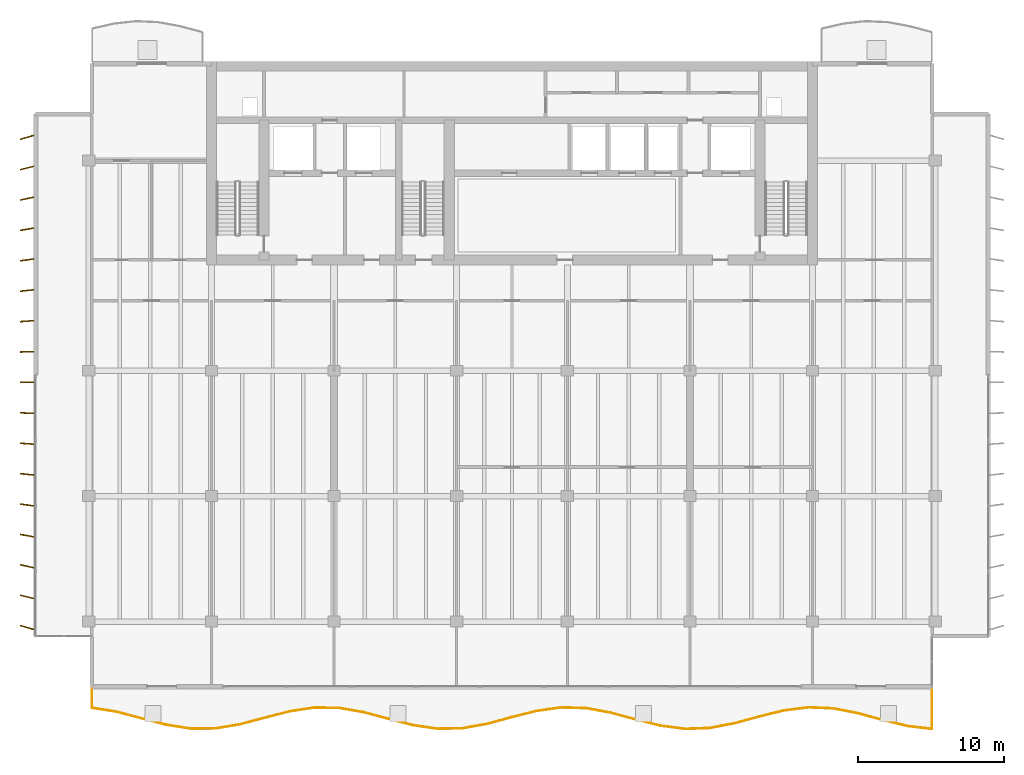
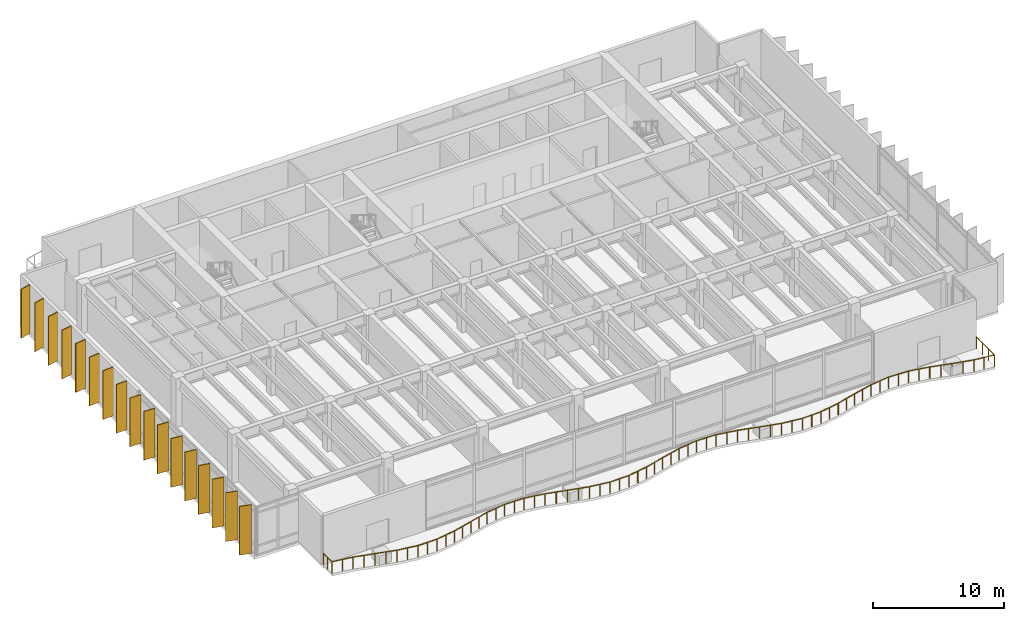
# One storey, part 12 of 15: 17 shading devices, 1 railing.
"""IFC4 building model written with IfcOpenShell, lengths in metres."""

import ifcopenshell
import ifcopenshell.guid

model = None  # the IFC model being written
_history = None  # IfcOwnerHistory: only IFC2X3 demands one
_inside = {}  # id of a spatial element -> (the spatial element, [elements in it])
_under = {}  # id of a project, library or spatial element -> (it, [spatial elements below it])
_declared = {}  # id of a project -> (the project, [libraries it declares])
_typed = {}  # id of a type object -> (the type object, [elements of that type])
_made_of = {}  # id of a material, layer set ... -> (it, [elements and type objects made of it])


def new_model(schema):
    """Start an empty IFC model of exactly this schema.

    Asked for "IFC4X3", IfcOpenShell would pick the latest addendum, in which some entities
    have other attributes; the version numbers below select the first issue.
    IFC2X3 requires an IfcOwnerHistory on every rooted entity: one is made here for all.
    """
    global model, _history
    if schema == "IFC4X3":
        model = ifcopenshell.file(schema_version=(4, 3, 0, 0))
    else:
        model = ifcopenshell.file(schema=schema)
    _inside.clear()
    _under.clear()
    _declared.clear()
    _typed.clear()
    _made_of.clear()
    _history = None
    if model.schema == "IFC2X3":
        org = make("IfcOrganization", Name="unknown")
        user = make(
            "IfcPersonAndOrganization",
            ThePerson=make("IfcPerson", FamilyName="unknown"),
            TheOrganization=org,
        )
        app = make(
            "IfcApplication",
            ApplicationDeveloper=org,
            Version="unknown",
            ApplicationFullName="unknown",
            ApplicationIdentifier="unknown",
        )
        _history = make(
            "IfcOwnerHistory",
            OwningUser=user,
            OwningApplication=app,
            ChangeAction="ADDED",
            CreationDate=0,
        )
    return model


def make(cls, **values):
    """One entity of the class cls with the attributes given. An attribute that is None is left unset."""
    return model.create_entity(
        cls, **{name: value for name, value in values.items() if value is not None}
    )


def rooted(cls, **values):
    """An entity with a GlobalId (a new one), such as an element, a storey or a relation."""
    return make(cls, GlobalId=ifcopenshell.guid.new(), OwnerHistory=_history, **values)


def si_unit(unit_type, name, prefix=None):
    """IfcSIUnit, for example si_unit("LENGTHUNIT", "METRE", prefix="MILLI")."""
    return make("IfcSIUnit", UnitType=unit_type, Prefix=prefix, Name=name)


def assignment(units):
    """IfcUnitAssignment: the units of a project."""
    return None if units is None else make("IfcUnitAssignment", Units=units)


def point(xyz):
    """IfcCartesianPoint."""
    return None if xyz is None else make("IfcCartesianPoint", Coordinates=xyz)


def direction(xyz):
    """IfcDirection."""
    return None if xyz is None else make("IfcDirection", DirectionRatios=xyz)


def frame(location, z_axis=None, x_axis=None):
    """IfcAxis2Placement3D, a coordinate frame: its origin and axes. An axis left out is left unset."""
    return make(
        "IfcAxis2Placement3D",
        Location=point(location),
        Axis=direction(z_axis),
        RefDirection=direction(x_axis),
    )


def frame_2d(location, x_axis=None):
    """IfcAxis2Placement2D, a coordinate frame in the plane: its origin and x axis."""
    return make(
        "IfcAxis2Placement2D", Location=point(location), RefDirection=direction(x_axis)
    )


def origin():
    """The frame at (0, 0, 0) with its axes left unset."""
    return frame((0.0, 0.0, 0.0))


def origin_2d():
    """The frame at (0, 0) in the plane with its x axis left unset."""
    return frame_2d((0.0, 0.0))


def place(relative_to, where):
    """IfcLocalPlacement: puts the frame where relative to a parent placement (None: the world)."""
    return make(
        "IfcLocalPlacement", PlacementRelTo=relative_to, RelativePlacement=where
    )


def context(
    kind, dimensions, precision=None, world=None, true_north=None, identifier=None
):
    """IfcGeometricRepresentationContext, for example the 3D "Model" context."""
    return make(
        "IfcGeometricRepresentationContext",
        ContextIdentifier=identifier,
        ContextType=kind,
        CoordinateSpaceDimension=dimensions,
        Precision=precision,
        WorldCoordinateSystem=world,
        TrueNorth=true_north,
    )


def subcontext(parent, identifier, kind, view, scale=None):
    """IfcGeometricRepresentationSubContext, for example "Body" below "Model"."""
    return make(
        "IfcGeometricRepresentationSubContext",
        ContextIdentifier=identifier,
        ContextType=kind,
        ParentContext=parent,
        TargetScale=scale,
        TargetView=view,
    )


def project(units=None, contexts=None):
    """IfcProject with its units and contexts."""
    return rooted(
        "IfcProject",
        Name="project",
        RepresentationContexts=contexts,
        UnitsInContext=assignment(units),
    )


def spatial(cls, under=None, at=None, **own):
    """A site, building, storey or space (cls), placed at a placement, below another one or the project."""
    s = rooted(cls, ObjectPlacement=at, **own)
    if under is not None:
        _under.setdefault(under.id(), (under, []))[1].append(s)
    return s


def profile(cls, at=None, kind="AREA", **sizes):
    """A parametric profile (cls). Its sizes go by their IFC names, for example OverallWidth=200.0."""
    return make(cls, ProfileType=kind, Position=at, **sizes)


def rectangle(**sizes):
    """IfcRectangleProfileDef."""
    return profile("IfcRectangleProfileDef", **sizes)


def circle(**sizes):
    """IfcCircleProfileDef."""
    return profile("IfcCircleProfileDef", **sizes)


def extrude(swept, where, along, depth):
    """IfcExtrudedAreaSolid: the profile swept, set in the frame where, extruded along a direction by depth."""
    return make(
        "IfcExtrudedAreaSolid",
        SweptArea=swept,
        Position=where,
        ExtrudedDirection=direction(along),
        Depth=depth,
    )


def shape(context_of_items, identifier, shape_type, items):
    """IfcShapeRepresentation: the items that make up one representation, for example the "Body"."""
    return make(
        "IfcShapeRepresentation",
        ContextOfItems=context_of_items,
        RepresentationIdentifier=identifier,
        RepresentationType=shape_type,
        Items=items,
    )


def material(Name=None, Category=None):
    """IfcMaterial."""
    return make("IfcMaterial", Name=Name, Category=Category)


def material_profile(
    of_material, cross_section, Name=None, Category=None, Priority=None
):
    """IfcMaterialProfile: a cross section and its material."""
    return make(
        "IfcMaterialProfile",
        Name=Name,
        Material=of_material,
        Profile=cross_section,
        Priority=Priority,
        Category=Category,
    )


def profile_set(profiles, Name=None, composite=None):
    """IfcMaterialProfileSet."""
    return make(
        "IfcMaterialProfileSet",
        Name=Name,
        MaterialProfiles=profiles,
        CompositeProfile=composite,
    )


def made_of(thing, what):
    """Note that an element or type object is made of a material, layer set ...; save() writes the relation."""
    if what is not None:
        _made_of.setdefault(what.id(), (what, []))[1].append(thing)
    return thing


def type_object(cls, material=None, **own):
    """A type object (cls), such as IfcWallType, which elements share."""
    return made_of(rooted(cls, **own), material)


def element(
    cls,
    number,
    at=None,
    inside=None,
    cuts=None,
    type_object=None,
    material=None,
    context=None,
    identifier="Body",
    shape_type=None,
    held_by="IfcProductDefinitionShape",
    body=None,
    shapes=None,
    **own,
):
    """One element of the class cls, such as IfcWall. Its Tag is "e" and its number.

    at: its placement. inside: the storey or other place that contains it. cuts: it is an
    opening in that element (IfcRelVoidsElement). A single representation is given by context,
    identifier, shape_type and body (its items); several are given by shapes. held_by: the class
    of the entity that holds the representations. save() writes the other relations.
    """
    e = rooted(cls, Tag="e%d" % number, ObjectPlacement=at, **own)
    if body is not None:
        shapes = [shape(context, identifier, shape_type, body)]
    if shapes is not None:
        e.Representation = make(held_by, Representations=shapes)
    if inside is not None:
        _inside.setdefault(inside.id(), (inside, []))[1].append(e)
    if cuts is not None:
        rooted(
            "IfcRelVoidsElement", RelatingBuildingElement=cuts, RelatedOpeningElement=e
        )
    if type_object is not None:
        _typed.setdefault(type_object.id(), (type_object, []))[1].append(e)
    return made_of(e, material)


def aggregate(whole, parts):
    """IfcRelAggregates: a whole, such as a stair, and the parts it consists of."""
    return rooted("IfcRelAggregates", RelatingObject=whole, RelatedObjects=parts)


def save(model, path):
    """Write the relations noted so far, then the file.

    IfcRelAggregates (storeys below a building ...), IfcRelContainedInSpatialStructure (elements
    in a storey), IfcRelDefinesByType, IfcRelAssociatesMaterial and IfcRelDeclares: one each for
    every whole, place, type object, material and project.
    """
    for whole, parts in _under.values():
        aggregate(whole, parts)
    for where, things in _inside.values():
        rooted(
            "IfcRelContainedInSpatialStructure",
            RelatedElements=things,
            RelatingStructure=where,
        )
    for kind, things in _typed.values():
        rooted("IfcRelDefinesByType", RelatedObjects=things, RelatingType=kind)
    for what, things in _made_of.values():
        rooted("IfcRelAssociatesMaterial", RelatedObjects=things, RelatingMaterial=what)
    for by, libraries in _declared.values():
        rooted("IfcRelDeclares", RelatingContext=by, RelatedDefinitions=libraries)
    model.write(path)


model = new_model("IFC4")

# Units and contexts
model_context = context("Model", 3, precision=1e-05, world=origin(), true_north=direction((0.0, 1.0)))
body_context = subcontext(model_context, "Body", "Model", "MODEL_VIEW")
ifc_project = project(units=[si_unit("LENGTHUNIT", "METRE"), si_unit("AREAUNIT", "SQUARE_METRE"), si_unit("VOLUMEUNIT", "CUBIC_METRE"), si_unit("PLANEANGLEUNIT", "RADIAN"), si_unit("MASSUNIT", "GRAM", prefix="KILO")], contexts=[model_context])

# Site, building, storey
site_placement = place(None, origin())
site = spatial("IfcSite", under=ifc_project, at=site_placement, CompositionType="ELEMENT")
building_placement = place(site_placement, origin())
building = spatial("IfcBuilding", under=site, at=building_placement, Name="Caelmar Bay Residences", CompositionType="ELEMENT")
storey_placement = place(building_placement, frame((0.0, 0.0, 183.60009765625)))
storey = spatial("IfcBuildingStorey", under=building, at=storey_placement, Name="L51", CompositionType="ELEMENT", Elevation=183.60009765625)

# Railing
ifc_material_1 = material(Name="Anodised bronze handrail with laminated hurricane glass infill", Category="glass")
railing_type = type_object("IfcRailingType", Name="RL-BAL-1100", PredefinedType="BALUSTRADE", material=ifc_material_1)
railing_placement = place(storey_placement, frame((10.10009765625, 7.60009765625, 0.0)))
element("IfcRailing", 1, at=railing_placement, inside=storey, type_object=railing_type, Name="L51 south Balcony Balustrade", PredefinedType="BALUSTRADE", context=body_context, shape_type="SweptSolid", body=[
    extrude(circle(Radius=0.02392578125, at=origin_2d()), frame((0.0, 0.0, 1.076171875), z_axis=(0.0, -1.0, 0.0), x_axis=(1.0, 0.0, 0.0)), (0.0, 0.0, 1.0), 1.306884765625),
    extrude(circle(Radius=0.02392578125, at=origin_2d()), frame((0.0, -1.306884765625, 1.076171875), z_axis=(0.987020906069, -0.160591814808, 0.0), x_axis=(0.160591814808, 0.987020906069, 0.0)), (0.0, 0.0, 1.0), 1.71630859375),
    extrude(circle(Radius=0.02392578125, at=origin_2d()), frame((1.694091796875, -1.58251953125, 1.076171875), z_axis=(0.967110634576, -0.254356089941, 0.0), x_axis=(0.254356089941, 0.967110634576, 0.0)), (0.0, 0.0, 1.0), 1.751708984375),
    extrude(circle(Radius=0.02392578125, at=origin_2d()), frame((3.38818359375, -2.028076171875, 1.076171875), z_axis=(0.967555051549, -0.252660290158, 0.0), x_axis=(0.252660290158, 0.967555051549, 0.0)), (0.0, 0.0, 1.0), 1.7509765625),
    extrude(circle(Radius=0.02392578125, at=origin_2d()), frame((5.082275390625, -2.470458984375, 1.076171875), z_axis=(0.987754884776, -0.156013741708, 0.0), x_axis=(0.156013741708, 0.987754884776, 0.0)), (0.0, 0.0, 1.0), 1.715087890625),
    extrude(circle(Radius=0.02392578125, at=origin_2d()), frame((6.7763671875, -2.738037109375, 1.076171875), z_axis=(0.999978972504, 0.006484947941, 0.0), x_axis=(-0.006484947941, 0.999978972504, 0.0)), (0.0, 0.0, 1.0), 1.694091796875),
    extrude(circle(Radius=0.02392578125, at=origin_2d()), frame((8.470458984375, -2.72705078125, 1.076171875), z_axis=(0.986081058418, 0.166265288709, 0.0), x_axis=(-0.166265288709, 0.986081058418, 0.0)), (0.0, 0.0, 1.0), 1.718017578125),
    extrude(circle(Radius=0.02392578125, at=origin_2d()), frame((10.16455078125, -2.44140625, 1.076171875), z_axis=(0.966629170597, 0.256179715338, 0.0), x_axis=(-0.256179715338, 0.966629170597, 0.0)), (0.0, 0.0, 1.0), 1.752685546875),
    extrude(circle(Radius=0.02392578125, at=origin_2d()), frame((11.858642578125, -1.992431640625, 1.076171875), z_axis=(0.968098496514, 0.250569952405, 0.0), x_axis=(-0.250569952405, 0.968098496514, 0.0)), (0.0, 0.0, 1.0), 1.75),
    extrude(circle(Radius=0.02392578125, at=origin_2d()), frame((13.552734375, -1.553955078125, 1.076171875), z_axis=(0.988663012748, 0.150151414328, 0.0), x_axis=(-0.150151414328, 0.988663012748, 0.0)), (0.0, 0.0, 1.0), 1.7138671875),
    extrude(circle(Radius=0.02392578125, at=origin_2d()), frame((15.2470703125, -1.296630859375, 1.076171875), z_axis=(0.999904312247, -0.013833522694, 0.0), x_axis=(0.013833522694, 0.999904312247, 0.0)), (0.0, 0.0, 1.0), 1.6943359375),
    extrude(circle(Radius=0.02392578125, at=origin_2d()), frame((16.941162109375, -1.320068359375, 1.076171875), z_axis=(0.985158564818, -0.171646736542, 0.0), x_axis=(0.171646736542, 0.985158564818, 0.0)), (0.0, 0.0, 1.0), 1.7197265625),
    extrude(circle(Radius=0.02392578125, at=origin_2d()), frame((18.63525390625, -1.615234375, 1.076171875), z_axis=(0.966144753917, -0.258000609455, 0.0), x_axis=(0.258000609455, 0.966144753917, 0.0)), (0.0, 0.0, 1.0), 1.75341796875),
    extrude(circle(Radius=0.02392578125, at=origin_2d()), frame((20.329345703125, -2.067626953125, 1.076171875), z_axis=(0.968738750291, -0.248083118499, 0.0), x_axis=(0.248083118499, 0.968738750291, 0.0)), (0.0, 0.0, 1.0), 1.748779296875),
    extrude(circle(Radius=0.02392578125, at=origin_2d()), frame((22.0234375, -2.50146484375, 1.076171875), z_axis=(0.989531708313, -0.144315620235, 0.0), x_axis=(0.144315620235, 0.989531708313, 0.0)), (0.0, 0.0, 1.0), 1.7119140625),
    extrude(circle(Radius=0.02392578125, at=origin_2d()), frame((23.717529296875, -2.74853515625, 1.076171875), z_axis=(0.999778722237, 0.021035839955, 0.0), x_axis=(-0.021035839955, 0.999778722237, 0.0)), (0.0, 0.0, 1.0), 1.694580078125),
    extrude(circle(Radius=0.02392578125, at=origin_2d()), frame((25.41162109375, -2.712890625, 1.076171875), z_axis=(0.984208538053, 0.177012862875, 0.0), x_axis=(-0.177012862875, 0.984208538053, 0.0)), (0.0, 0.0, 1.0), 1.72119140625),
    extrude(circle(Radius=0.02392578125, at=origin_2d()), frame((27.105712890625, -2.408203125, 1.076171875), z_axis=(0.965727200688, 0.259559191423, 0.0), x_axis=(-0.259559191423, 0.965727200688, 0.0)), (0.0, 0.0, 1.0), 1.754150390625),
    extrude(circle(Radius=0.02392578125, at=origin_2d()), frame((28.7998046875, -1.952880859375, 1.076171875), z_axis=(0.969373446512, 0.245591370366, 0.0), x_axis=(-0.245591370366, 0.969373446512, 0.0)), (0.0, 0.0, 1.0), 1.74755859375),
    extrude(circle(Radius=0.02392578125, at=origin_2d()), frame((30.493896484375, -1.523681640625, 1.076171875), z_axis=(0.990389897414, 0.13830347465, 0.0), x_axis=(-0.13830347465, 0.990389897414, 0.0)), (0.0, 0.0, 1.0), 1.71044921875),
    extrude(circle(Radius=0.02392578125, at=origin_2d()), frame((32.18798828125, -1.287109375, 1.076171875), z_axis=(0.999597356071, -0.028374737629, 0.0), x_axis=(0.028374737629, 0.999597356071, 0.0)), (0.0, 0.0, 1.0), 1.695068359375),
    extrude(circle(Radius=0.02392578125, at=origin_2d()), frame((33.88232421875, -1.335205078125, 1.076171875), z_axis=(0.983256624742, -0.182226260184, 0.0), x_axis=(0.182226260184, 0.983256624742, 0.0)), (0.0, 0.0, 1.0), 1.722900390625),
    extrude(circle(Radius=0.02392578125, at=origin_2d()), frame((35.576416015625, -1.649169921875, 1.076171875), z_axis=(0.965377597531, -0.2608564628, 0.0), x_axis=(0.2608564628, 0.965377597531, 0.0)), (0.0, 0.0, 1.0), 1.7548828125),
    extrude(circle(Radius=0.02392578125, at=origin_2d()), frame((37.2705078125, -2.10693359375, 1.076171875), z_axis=(0.970035504069, -0.24296320883, 0.0), x_axis=(0.24296320883, 0.970035504069, 0.0)), (0.0, 0.0, 1.0), 1.746337890625),
    extrude(circle(Radius=0.02392578125, at=origin_2d()), frame((38.964599609375, -2.53125, 1.076171875), z_axis=(0.991231643063, -0.132135649205, 0.0), x_axis=(0.132135649205, 0.991231643063, 0.0)), (0.0, 0.0, 1.0), 1.708984375),
    extrude(circle(Radius=0.02392578125, at=origin_2d()), frame((40.65869140625, -2.757080078125, 1.076171875), z_axis=(0.999367067109, 0.035573377371, 0.0), x_axis=(-0.035573377371, 0.999367067109, 0.0)), (0.0, 0.0, 1.0), 1.695068359375),
    extrude(circle(Radius=0.02392578125, at=origin_2d()), frame((42.352783203125, -2.69677734375, 1.076171875), z_axis=(0.982310060551, 0.187261701745, 0.0), x_axis=(-0.187261701745, 0.982310060551, 0.0)), (0.0, 0.0, 1.0), 1.724853515625),
    extrude(circle(Radius=0.02392578125, at=origin_2d()), frame((44.047119140625, -2.373779296875, 1.076171875), z_axis=(0.965026507292, 0.26215232256, 0.0), x_axis=(-0.26215232256, 0.965026507292, 0.0)), (0.0, 0.0, 1.0), 1.75537109375),
    extrude(circle(Radius=0.02392578125, at=origin_2d()), frame((45.7412109375, -1.91357421875, 1.076171875), z_axis=(0.970756558681, 0.240066040452, 0.0), x_axis=(-0.240066040452, 0.970756558681, 0.0)), (0.0, 0.0, 1.0), 1.7451171875),
    extrude(circle(Radius=0.02392578125, at=origin_2d()), frame((47.435302734375, -1.49462890625, 1.076171875), z_axis=(0.992054135107, 0.125811736402, 0.0), x_axis=(-0.125811736402, 0.992054135107, 0.0)), (0.0, 0.0, 1.0), 1.707763671875),
    extrude(circle(Radius=0.02392578125, at=origin_2d()), frame((49.12939453125, -1.27978515625, 1.076171875), z_axis=(0.999085270013, -0.042762404553, 0.0), x_axis=(0.042762404553, 0.999085270013, 0.0)), (0.0, 0.0, 1.0), 1.695556640625),
    extrude(circle(Radius=0.02392578125, at=origin_2d()), frame((50.823486328125, -1.352294921875, 1.076171875), z_axis=(0.981356137979, -0.192198154131, 0.0), x_axis=(0.192198154131, 0.981356137979, 0.0)), (0.0, 0.0, 1.0), 1.726318359375),
    extrude(circle(Radius=0.02392578125, at=origin_2d()), frame((52.517578125, -1.68408203125, 1.076171875), z_axis=(0.964744568041, -0.263187990676, 0.0), x_axis=(0.263187990676, 0.964744568041, 0.0)), (0.0, 0.0, 1.0), 1.756103515625),
    extrude(circle(Radius=0.02392578125, at=origin_2d()), frame((54.211669921875, -2.146240234375, 1.076171875), z_axis=(0.971502255438, -0.23703030962, 0.0), x_axis=(0.23703030962, 0.971502255438, 0.0)), (0.0, 0.0, 1.0), 1.743896484375),
    extrude(circle(Radius=0.02392578125, at=origin_2d()), frame((55.90576171875, -2.5595703125, 1.076171875), z_axis=(0.992854478381, -0.119331407259, 0.0), x_axis=(0.119331407259, 0.992854478381, 0.0)), (0.0, 0.0, 1.0), 1.706298828125),
    extrude(circle(Radius=0.02392578125, at=origin_2d()), frame((57.599853515625, -2.76318359375, 1.076171875), z_axis=(0.0, 1.0, 0.0), x_axis=(-1.0, 0.0, 0.0)), (0.0, 0.0, 1.0), 2.76318359375),
    extrude(circle(Radius=0.02099609375, at=origin_2d()), origin(), (0.0, 0.0, 1.0), 1.052001953125),
    extrude(circle(Radius=0.02099609375, at=origin_2d()), frame((0.0, -0.6533203125, 0.0)), (0.0, 0.0, 1.0), 1.052001953125),
    extrude(circle(Radius=0.02099609375, at=origin_2d()), frame((0.0, -1.306884765625, 0.0)), (0.0, 0.0, 1.0), 1.052001953125),
    extrude(circle(Radius=0.02099609375, at=origin_2d()), frame((0.84716796875, -1.44482421875, 0.0)), (0.0, 0.0, 1.0), 1.052001953125),
    extrude(circle(Radius=0.02099609375, at=origin_2d()), frame((1.694091796875, -1.58251953125, 0.0)), (0.0, 0.0, 1.0), 1.052001953125),
    extrude(circle(Radius=0.02099609375, at=origin_2d()), frame((2.541015625, -1.80517578125, 0.0)), (0.0, 0.0, 1.0), 1.052001953125),
    extrude(circle(Radius=0.02099609375, at=origin_2d()), frame((3.38818359375, -2.028076171875, 0.0)), (0.0, 0.0, 1.0), 1.052001953125),
    extrude(circle(Radius=0.02099609375, at=origin_2d()), frame((4.2353515625, -2.249267578125, 0.0)), (0.0, 0.0, 1.0), 1.052001953125),
    extrude(circle(Radius=0.02099609375, at=origin_2d()), frame((5.082275390625, -2.470458984375, 0.0)), (0.0, 0.0, 1.0), 1.052001953125),
    extrude(circle(Radius=0.02099609375, at=origin_2d()), frame((5.92919921875, -2.604248046875, 0.0)), (0.0, 0.0, 1.0), 1.052001953125),
    extrude(circle(Radius=0.02099609375, at=origin_2d()), frame((6.7763671875, -2.738037109375, 0.0)), (0.0, 0.0, 1.0), 1.052001953125),
    extrude(circle(Radius=0.02099609375, at=origin_2d()), frame((7.62353515625, -2.732421875, 0.0)), (0.0, 0.0, 1.0), 1.052001953125),
    extrude(circle(Radius=0.02099609375, at=origin_2d()), frame((8.470458984375, -2.72705078125, 0.0)), (0.0, 0.0, 1.0), 1.052001953125),
    extrude(circle(Radius=0.02099609375, at=origin_2d()), frame((9.3173828125, -2.584228515625, 0.0)), (0.0, 0.0, 1.0), 1.052001953125),
    extrude(circle(Radius=0.02099609375, at=origin_2d()), frame((10.16455078125, -2.44140625, 0.0)), (0.0, 0.0, 1.0), 1.052001953125),
    extrude(circle(Radius=0.02099609375, at=origin_2d()), frame((11.01171875, -2.216796875, 0.0)), (0.0, 0.0, 1.0), 1.052001953125),
    extrude(circle(Radius=0.02099609375, at=origin_2d()), frame((11.858642578125, -1.992431640625, 0.0)), (0.0, 0.0, 1.0), 1.052001953125),
    extrude(circle(Radius=0.02099609375, at=origin_2d()), frame((12.70556640625, -1.773193359375, 0.0)), (0.0, 0.0, 1.0), 1.052001953125),
    extrude(circle(Radius=0.02099609375, at=origin_2d()), frame((13.552734375, -1.553955078125, 0.0)), (0.0, 0.0, 1.0), 1.052001953125),
    extrude(circle(Radius=0.02099609375, at=origin_2d()), frame((14.39990234375, -1.42529296875, 0.0)), (0.0, 0.0, 1.0), 1.052001953125),
    extrude(circle(Radius=0.02099609375, at=origin_2d()), frame((15.2470703125, -1.296630859375, 0.0)), (0.0, 0.0, 1.0), 1.052001953125),
    extrude(circle(Radius=0.02099609375, at=origin_2d()), frame((16.09423828125, -1.308349609375, 0.0)), (0.0, 0.0, 1.0), 1.052001953125),
    extrude(circle(Radius=0.02099609375, at=origin_2d()), frame((16.941162109375, -1.320068359375, 0.0)), (0.0, 0.0, 1.0), 1.052001953125),
    extrude(circle(Radius=0.02099609375, at=origin_2d()), frame((17.7880859375, -1.4677734375, 0.0)), (0.0, 0.0, 1.0), 1.052001953125),
    extrude(circle(Radius=0.02099609375, at=origin_2d()), frame((18.63525390625, -1.615234375, 0.0)), (0.0, 0.0, 1.0), 1.052001953125),
    extrude(circle(Radius=0.02099609375, at=origin_2d()), frame((19.482421875, -1.84130859375, 0.0)), (0.0, 0.0, 1.0), 1.052001953125),
    extrude(circle(Radius=0.02099609375, at=origin_2d()), frame((20.329345703125, -2.067626953125, 0.0)), (0.0, 0.0, 1.0), 1.052001953125),
    extrude(circle(Radius=0.02099609375, at=origin_2d()), frame((21.17626953125, -2.28466796875, 0.0)), (0.0, 0.0, 1.0), 1.052001953125),
    extrude(circle(Radius=0.02099609375, at=origin_2d()), frame((22.0234375, -2.50146484375, 0.0)), (0.0, 0.0, 1.0), 1.052001953125),
    extrude(circle(Radius=0.02099609375, at=origin_2d()), frame((22.87060546875, -2.625, 0.0)), (0.0, 0.0, 1.0), 1.052001953125),
    extrude(circle(Radius=0.02099609375, at=origin_2d()), frame((23.717529296875, -2.74853515625, 0.0)), (0.0, 0.0, 1.0), 1.052001953125),
    extrude(circle(Radius=0.02099609375, at=origin_2d()), frame((24.564453125, -2.730712890625, 0.0)), (0.0, 0.0, 1.0), 1.052001953125),
    extrude(circle(Radius=0.02099609375, at=origin_2d()), frame((25.41162109375, -2.712890625, 0.0)), (0.0, 0.0, 1.0), 1.052001953125),
    extrude(circle(Radius=0.02099609375, at=origin_2d()), frame((26.2587890625, -2.560546875, 0.0)), (0.0, 0.0, 1.0), 1.052001953125),
    extrude(circle(Radius=0.02099609375, at=origin_2d()), frame((27.105712890625, -2.408203125, 0.0)), (0.0, 0.0, 1.0), 1.052001953125),
    extrude(circle(Radius=0.02099609375, at=origin_2d()), frame((27.95263671875, -2.1806640625, 0.0)), (0.0, 0.0, 1.0), 1.052001953125),
    extrude(circle(Radius=0.02099609375, at=origin_2d()), frame((28.7998046875, -1.952880859375, 0.0)), (0.0, 0.0, 1.0), 1.052001953125),
    extrude(circle(Radius=0.02099609375, at=origin_2d()), frame((29.64697265625, -1.73828125, 0.0)), (0.0, 0.0, 1.0), 1.052001953125),
    extrude(circle(Radius=0.02099609375, at=origin_2d()), frame((30.493896484375, -1.523681640625, 0.0)), (0.0, 0.0, 1.0), 1.052001953125),
    extrude(circle(Radius=0.02099609375, at=origin_2d()), frame((31.3408203125, -1.4052734375, 0.0)), (0.0, 0.0, 1.0), 1.052001953125),
    extrude(circle(Radius=0.02099609375, at=origin_2d()), frame((32.18798828125, -1.287109375, 0.0)), (0.0, 0.0, 1.0), 1.052001953125),
    extrude(circle(Radius=0.02099609375, at=origin_2d()), frame((33.03515625, -1.31103515625, 0.0)), (0.0, 0.0, 1.0), 1.052001953125),
    extrude(circle(Radius=0.02099609375, at=origin_2d()), frame((33.88232421875, -1.335205078125, 0.0)), (0.0, 0.0, 1.0), 1.052001953125),
    extrude(circle(Radius=0.02099609375, at=origin_2d()), frame((34.7294921875, -1.4921875, 0.0)), (0.0, 0.0, 1.0), 1.052001953125),
    extrude(circle(Radius=0.02099609375, at=origin_2d()), frame((35.576416015625, -1.649169921875, 0.0)), (0.0, 0.0, 1.0), 1.052001953125),
    extrude(circle(Radius=0.02099609375, at=origin_2d()), frame((36.42333984375, -1.8779296875, 0.0)), (0.0, 0.0, 1.0), 1.052001953125),
    extrude(circle(Radius=0.02099609375, at=origin_2d()), frame((37.2705078125, -2.10693359375, 0.0)), (0.0, 0.0, 1.0), 1.052001953125),
    extrude(circle(Radius=0.02099609375, at=origin_2d()), frame((38.11767578125, -2.319091796875, 0.0)), (0.0, 0.0, 1.0), 1.052001953125),
    extrude(circle(Radius=0.02099609375, at=origin_2d()), frame((38.964599609375, -2.53125, 0.0)), (0.0, 0.0, 1.0), 1.052001953125),
    extrude(circle(Radius=0.02099609375, at=origin_2d()), frame((39.8115234375, -2.64404296875, 0.0)), (0.0, 0.0, 1.0), 1.052001953125),
    extrude(circle(Radius=0.02099609375, at=origin_2d()), frame((40.65869140625, -2.757080078125, 0.0)), (0.0, 0.0, 1.0), 1.052001953125),
    extrude(circle(Radius=0.02099609375, at=origin_2d()), frame((41.505859375, -2.72705078125, 0.0)), (0.0, 0.0, 1.0), 1.052001953125),
    extrude(circle(Radius=0.02099609375, at=origin_2d()), frame((42.352783203125, -2.69677734375, 0.0)), (0.0, 0.0, 1.0), 1.052001953125),
    extrude(circle(Radius=0.02099609375, at=origin_2d()), frame((43.199951171875, -2.53515625, 0.0)), (0.0, 0.0, 1.0), 1.052001953125),
    extrude(circle(Radius=0.02099609375, at=origin_2d()), frame((44.047119140625, -2.373779296875, 0.0)), (0.0, 0.0, 1.0), 1.052001953125),
    extrude(circle(Radius=0.02099609375, at=origin_2d()), frame((44.89404296875, -2.1435546875, 0.0)), (0.0, 0.0, 1.0), 1.052001953125),
    extrude(circle(Radius=0.02099609375, at=origin_2d()), frame((45.7412109375, -1.91357421875, 0.0)), (0.0, 0.0, 1.0), 1.052001953125),
    extrude(circle(Radius=0.02099609375, at=origin_2d()), frame((46.58837890625, -1.7041015625, 0.0)), (0.0, 0.0, 1.0), 1.052001953125),
    extrude(circle(Radius=0.02099609375, at=origin_2d()), frame((47.435302734375, -1.49462890625, 0.0)), (0.0, 0.0, 1.0), 1.052001953125),
    extrude(circle(Radius=0.02099609375, at=origin_2d()), frame((48.2822265625, -1.38720703125, 0.0)), (0.0, 0.0, 1.0), 1.052001953125),
    extrude(circle(Radius=0.02099609375, at=origin_2d()), frame((49.12939453125, -1.27978515625, 0.0)), (0.0, 0.0, 1.0), 1.052001953125),
    extrude(circle(Radius=0.02099609375, at=origin_2d()), frame((49.9765625, -1.31591796875, 0.0)), (0.0, 0.0, 1.0), 1.052001953125),
    extrude(circle(Radius=0.02099609375, at=origin_2d()), frame((50.823486328125, -1.352294921875, 0.0)), (0.0, 0.0, 1.0), 1.052001953125),
    extrude(circle(Radius=0.02099609375, at=origin_2d()), frame((51.67041015625, -1.51806640625, 0.0)), (0.0, 0.0, 1.0), 1.052001953125),
    extrude(circle(Radius=0.02099609375, at=origin_2d()), frame((52.517578125, -1.68408203125, 0.0)), (0.0, 0.0, 1.0), 1.052001953125),
    extrude(circle(Radius=0.02099609375, at=origin_2d()), frame((53.36474609375, -1.9150390625, 0.0)), (0.0, 0.0, 1.0), 1.052001953125),
    extrude(circle(Radius=0.02099609375, at=origin_2d()), frame((54.211669921875, -2.146240234375, 0.0)), (0.0, 0.0, 1.0), 1.052001953125),
    extrude(circle(Radius=0.02099609375, at=origin_2d()), frame((55.05859375, -2.35302734375, 0.0)), (0.0, 0.0, 1.0), 1.052001953125),
    extrude(circle(Radius=0.02099609375, at=origin_2d()), frame((55.90576171875, -2.5595703125, 0.0)), (0.0, 0.0, 1.0), 1.052001953125),
    extrude(circle(Radius=0.02099609375, at=origin_2d()), frame((56.7529296875, -2.661376953125, 0.0)), (0.0, 0.0, 1.0), 1.052001953125),
    extrude(circle(Radius=0.02099609375, at=origin_2d()), frame((57.599853515625, -2.76318359375, 0.0)), (0.0, 0.0, 1.0), 1.052001953125),
    extrude(circle(Radius=0.02099609375, at=origin_2d()), frame((57.599853515625, -1.842041015625, 0.0)), (0.0, 0.0, 1.0), 1.052001953125),
    extrude(circle(Radius=0.02099609375, at=origin_2d()), frame((57.599853515625, -0.921142578125, 0.0)), (0.0, 0.0, 1.0), 1.052001953125),
    extrude(circle(Radius=0.02099609375, at=origin_2d()), frame((57.599853515625, 0.0, 0.0)), (0.0, 0.0, 1.0), 1.052001953125),
])

# Shading devices
ifc_material_2 = material(Name="Anodised architectural bronze aluminium 6063-T6", Category="aluminium")
ifc_material_profile = material_profile(ifc_material_2, rectangle(XDim=0.074951171875, YDim=0.949951171875, at=origin_2d()), Name="BRONZE-FIN-75X950")
ifc_profile_set = profile_set([ifc_material_profile], Name="Anodised architectural bronze aluminium 6063-T6")
shading_device_type = type_object("IfcShadingDeviceType", Name="SHD-FIN-950", PredefinedType="USERDEFINED", material=ifc_profile_set)
for number, where, z_axis, x_axis, name in (
    (2, (5.64990234375, 11.800048828125, 0.0), (0.0, 0.0, 1.0), (0.275637355817, 0.961261695938, 0.0), "L51 West Bronze Solar Fin 1"),
    (3, (5.64990234375, 13.89990234375, 0.0), (0.0, 0.0, 1.0), (0.2419218956, 0.970295726276, 0.0), "L51 West Bronze Solar Fin 2"),
    (4, (5.64990234375, 16.0, 0.0), (0.0, 0.0, 1.0), (0.207911690818, 0.978147600734, 0.0), "L51 West Bronze Solar Fin 3"),
    (5, (5.64990234375, 18.10009765625, 0.0), (0.0, 0.0, 1.0), (0.173648177667, 0.984807753012, 0.0), "L51 West Bronze Solar Fin 4"),
    (6, (5.64990234375, 20.199951171875, 0.0), (0.0, 0.0, 1.0), (0.13917310096, 0.990268068742, 0.0), "L51 West Bronze Solar Fin 5"),
    (7, (5.64990234375, 22.300048828125, 0.0), (0.0, 0.0, 1.0), (0.104528463268, 0.994521895368, 0.0), "L51 West Bronze Solar Fin 6"),
    (8, (5.64990234375, 24.39990234375, 0.0), (0.0, 0.0, 1.0), (0.069756473744, 0.99756405026, 0.0), "L51 West Bronze Solar Fin 7"),
    (9, (5.64990234375, 26.5, 0.0), (0.0, 0.0, 1.0), (0.034899496703, 0.999390827019, 0.0), "L51 West Bronze Solar Fin 8"),
    (10, (5.64990234375, 28.60009765625, 0.0), (0.0, 0.0, 1.0), (0.0, 1.0, 0.0), "L51 West Bronze Solar Fin 9"),
    (11, (5.64990234375, 30.699951171875, 0.0), (0.0, 0.0, 1.0), (-0.034899496703, 0.999390827019, 0.0), "L51 West Bronze Solar Fin 10"),
    (12, (5.64990234375, 32.800048828125, 0.0), (0.0, 0.0, 1.0), (-0.069756473744, 0.99756405026, 0.0), "L51 West Bronze Solar Fin 11"),
    (13, (5.64990234375, 34.89990234375, 0.0), (0.0, 0.0, 1.0), (-0.104528463268, 0.994521895368, 0.0), "L51 West Bronze Solar Fin 12"),
    (14, (5.64990234375, 37.0, 0.0), (0.0, 0.0, 1.0), (-0.13917310096, 0.990268068742, 0.0), "L51 West Bronze Solar Fin 13"),
    (15, (5.64990234375, 39.10009765625, 0.0), (0.0, 0.0, 1.0), (-0.173648177667, 0.984807753012, 0.0), "L51 West Bronze Solar Fin 14"),
    (16, (5.64990234375, 41.199951171875, 0.0), (0.0, 0.0, 1.0), (-0.207911690818, 0.978147600734, 0.0), "L51 West Bronze Solar Fin 15"),
    (17, (5.64990234375, 43.300048828125, 0.0), (0.0, 0.0, 1.0), (-0.2419218956, 0.970295726276, 0.0), "L51 West Bronze Solar Fin 16"),
    (18, (5.64990234375, 45.39990234375, 0.0), (0.0, 0.0, 1.0), (-0.275637355817, 0.961261695938, 0.0), "L51 West Bronze Solar Fin 17"),
):
    element("IfcShadingDevice", number, at=place(storey_placement, frame(where, z_axis=z_axis, x_axis=x_axis)), inside=storey, type_object=shading_device_type, Name=name, ObjectType="FIN", PredefinedType="USERDEFINED", context=body_context, shape_type="SweptSolid", body=[
        extrude(rectangle(XDim=0.074951171875, YDim=0.949951171875, at=origin_2d()), origin(), (0.0, 0.0, 1.0), 4.5498046875),
    ])

save(model, "model.ifc")
